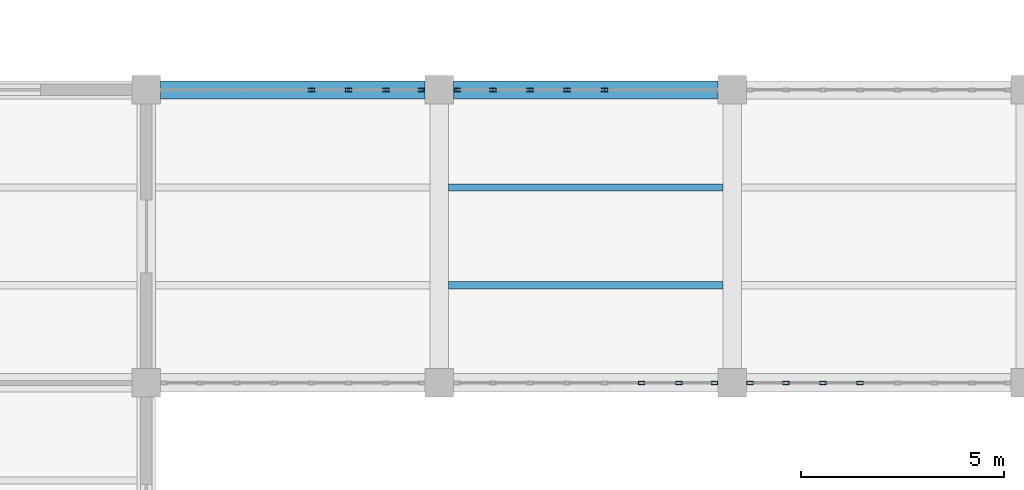
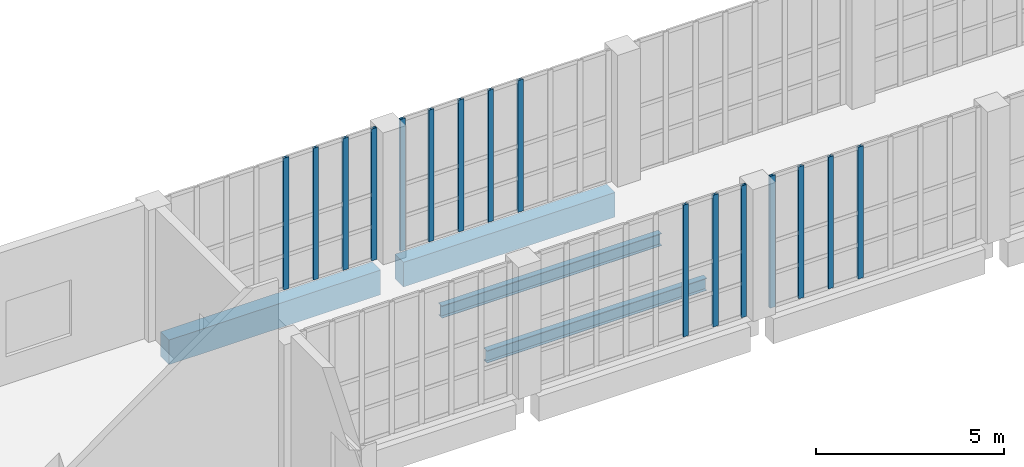
# One storey, part 25 of 108: 16 members, 4 beams, 4 elements without a shape of their own.
"""IFC4 building model written with IfcOpenShell, lengths in metres."""

from ifc_helpers import new_model, si_unit, direction, frame, origin, origin_2d, place, context, subcontext, project, spatial, rectangle, hollow_rectangle, i_section, extrude, material, layer, layer_set, material_profile, profile_set, type_object, element, aggregate, save


model = new_model("IFC4")

# Units and contexts
model_context = context("Model", 3, precision=1e-05, world=origin(), true_north=direction((0.0, 1.0)))
body_context = subcontext(model_context, "Body", "Model", "MODEL_VIEW")
ifc_project = project(units=[si_unit("LENGTHUNIT", "METRE"), si_unit("AREAUNIT", "SQUARE_METRE"), si_unit("VOLUMEUNIT", "CUBIC_METRE"), si_unit("PLANEANGLEUNIT", "RADIAN"), si_unit("MASSUNIT", "GRAM", prefix="KILO"), si_unit("THERMODYNAMICTEMPERATUREUNIT", "KELVIN"), si_unit("POWERUNIT", "WATT")], contexts=[model_context])

# Site, building, storey
site_placement = place(None, origin())
site = spatial("IfcSite", under=ifc_project, at=site_placement, CompositionType="ELEMENT")
building_placement = place(site_placement, origin())
building = spatial("IfcBuilding", under=site, at=building_placement, Name="Kaldorven Railside Theatre", CompositionType="ELEMENT")
storey_placement = place(building_placement, frame((0.0, 0.0, 5.39990234375)))
storey = spatial("IfcBuildingStorey", under=building, at=storey_placement, Name="L01", CompositionType="ELEMENT", Elevation=5.39990234375)

# Beams
ifc_material_1 = material(Name="Steel S355", Category="steel")
ifc_material_profile_1 = material_profile(ifc_material_1, i_section(OverallWidth=0.179931640625, OverallDepth=0.39990234375, WebThickness=0.008544921875, FlangeThickness=0.013427734375, at=origin_2d()), Name="IPE 400")
ifc_profile_set_1 = profile_set([ifc_material_profile_1], Name="Steel S355")
beam_type_1 = type_object("IfcBeamType", Name="BM-IPE400", PredefinedType="JOIST", material=ifc_profile_set_1)
for number, where, z_axis, x_axis, name in (
    (1, (51.425048828125, 72.0, -0.43994140625), (1.0, 0.0, 0.0), (0.0, 1.0, 0.0), "L01 Secondary Floor Joist JG-L01-051-0720"),
    (2, (51.425048828125, 74.39990234375, -0.43994140625), (1.0, 0.0, 0.0), (0.0, 1.0, 0.0), "L01 Secondary Floor Joist JG-L01-051-0744"),
):
    element("IfcBeam", number, at=place(storey_placement, frame(where, z_axis=z_axis, x_axis=x_axis)), inside=storey, type_object=beam_type_1, Name=name, PredefinedType="JOIST", context=body_context, shape_type="SweptSolid", body=[
        extrude(i_section(OverallWidth=0.179931640625, OverallDepth=0.39990234375, WebThickness=0.008544921875, FlangeThickness=0.013427734375, at=origin_2d()), origin(), (0.0, 0.0, 1.0), 6.75),
    ])
ifc_material_2 = material(Name="Concrete C40/50", Category="concrete")
ifc_material_profile_2 = material_profile(ifc_material_2, rectangle(XDim=0.449951171875, YDim=0.800048828125, at=origin_2d()), Name="RC 450x800")
ifc_profile_set_2 = profile_set([ifc_material_profile_2], Name="Concrete C40/50")
beam_type_2 = type_object("IfcBeamType", Name="BM-RC450x800", PredefinedType="BEAM", material=ifc_profile_set_2)
for number, where, z_axis, x_axis, name in (
    (3, (44.35009765625, 76.800048828125, -0.639892578125), (1.0, 0.0, 0.0), (0.0, 1.0, 0.0), "L01 Girder BGX-L01-044-076"),
    (4, (51.550048828125, 76.800048828125, -0.639892578125), (1.0, 0.0, 0.0), (0.0, 1.0, 0.0), "L01 Girder BGX-L01-051-076"),
):
    element("IfcBeam", number, at=place(storey_placement, frame(where, z_axis=z_axis, x_axis=x_axis)), inside=storey, type_object=beam_type_2, Name=name, PredefinedType="BEAM", context=body_context, shape_type="SweptSolid", body=[
        extrude(rectangle(XDim=0.449951171875, YDim=0.800048828125, at=origin_2d()), origin(), (0.0, 0.0, 1.0), 6.5),
    ])

# Curtain wall, members
ifc_material_3 = material(Name="Low-E laminated solar-control glass", Category="glass")
ifc_layer = layer(ifc_material_3, 0.159912109375, Name="Low-E laminated solar-control glass")
ifc_layer_set = layer_set([ifc_layer], Name="Low-E laminated solar-control glass")
curtain_wall_type = type_object("IfcCurtainWallType", Name="CWT-25", PredefinedType="USERDEFINED", material=ifc_layer_set)
curtain_wall_1_placement = place(storey_placement, origin())
curtain_wall_1 = element("IfcCurtainWall", 5, at=curtain_wall_1_placement, inside=storey, type_object=curtain_wall_type, Name="Sinusoidal Fluted Curtain Wall CW-L01-BN01", ObjectType="FLUTED GLAZING", PredefinedType="USERDEFINED")
ifc_material_4 = material(Name="Anodised bronze aluminium", Category="aluminium")
ifc_material_profile_3 = material_profile(ifc_material_4, hollow_rectangle(XDim=0.080078125, YDim=0.159912109375, WallThickness=0.00634765625, at=origin_2d()), Name="RHS 160x80x6.3")
ifc_profile_set_3 = profile_set([ifc_material_profile_3], Name="Anodised bronze aluminium")
member_type = type_object("IfcMemberType", Name="CWM-160", PredefinedType="MULLION", material=ifc_profile_set_3)
member_1_placement = place(storey_placement, frame((48.05712890625, 76.800048828125, 0.0), z_axis=(0.0, 0.0, 1.0), x_axis=(0.0, 1.0, 0.0)))
member_1 = element("IfcMember", 6, at=member_1_placement, type_object=member_type, Name="CW-L01-BN01 mullion 5", PredefinedType="MULLION", context=body_context, shape_type="SweptSolid", body=[
    extrude(hollow_rectangle(XDim=0.080078125, YDim=0.159912109375, WallThickness=0.00634765625, at=origin_2d()), origin(), (0.0, 0.0, 1.0), 4.280029296875),
])
member_2_placement = place(storey_placement, frame((48.971435546875, 76.800048828125, 0.0), z_axis=(0.0, 0.0, 1.0), x_axis=(0.0, 1.0, 0.0)))
member_2 = element("IfcMember", 7, at=member_2_placement, type_object=member_type, Name="CW-L01-BN01 mullion 6", PredefinedType="MULLION", context=body_context, shape_type="SweptSolid", body=[
    extrude(hollow_rectangle(XDim=0.080078125, YDim=0.159912109375, WallThickness=0.00634765625, at=origin_2d()), origin(), (0.0, 0.0, 1.0), 4.280029296875),
])
member_3_placement = place(storey_placement, frame((49.8857421875, 76.800048828125, 0.0), z_axis=(0.0, 0.0, 1.0), x_axis=(0.0, 1.0, 0.0)))
member_3 = element("IfcMember", 8, at=member_3_placement, type_object=member_type, Name="CW-L01-BN01 mullion 7", PredefinedType="MULLION", context=body_context, shape_type="SweptSolid", body=[
    extrude(hollow_rectangle(XDim=0.080078125, YDim=0.159912109375, WallThickness=0.00634765625, at=origin_2d()), origin(), (0.0, 0.0, 1.0), 4.280029296875),
])
member_4_placement = place(storey_placement, frame((50.760009765625, 76.800048828125, 0.0), z_axis=(0.0, 0.0, 1.0), x_axis=(0.0, 1.0, 0.0)))
member_4 = element("IfcMember", 9, at=member_4_placement, type_object=member_type, Name="CW-L01-BN01 mullion 8", PredefinedType="MULLION", context=body_context, shape_type="SweptSolid", body=[
    extrude(hollow_rectangle(XDim=0.080078125, YDim=0.159912109375, WallThickness=0.00634765625, at=origin_2d()), origin(), (0.0, 0.0, 1.0), 4.280029296875),
])
aggregate(curtain_wall_1, [member_1, member_2, member_3, member_4])

curtain_wall_2_placement = place(storey_placement, origin())
curtain_wall_2 = element("IfcCurtainWall", 10, at=curtain_wall_2_placement, inside=storey, type_object=curtain_wall_type, Name="Sinusoidal Fluted Curtain Wall CW-L01-BS02", ObjectType="FLUTED GLAZING", PredefinedType="USERDEFINED")
member_5_placement = place(storey_placement, frame((56.17138671875, 69.60009765625, 0.0), z_axis=(0.0, 0.0, 1.0), x_axis=(0.0, 1.0, 0.0)))
member_5 = element("IfcMember", 11, at=member_5_placement, type_object=member_type, Name="CW-L01-BS02 mullion 6", PredefinedType="MULLION", context=body_context, shape_type="SweptSolid", body=[
    extrude(hollow_rectangle(XDim=0.080078125, YDim=0.159912109375, WallThickness=0.00634765625, at=origin_2d()), origin(), (0.0, 0.0, 1.0), 4.280029296875),
])
member_6_placement = place(storey_placement, frame((57.085693359375, 69.60009765625, 0.0), z_axis=(0.0, 0.0, 1.0), x_axis=(0.0, 1.0, 0.0)))
member_6 = element("IfcMember", 12, at=member_6_placement, type_object=member_type, Name="CW-L01-BS02 mullion 7", PredefinedType="MULLION", context=body_context, shape_type="SweptSolid", body=[
    extrude(hollow_rectangle(XDim=0.080078125, YDim=0.159912109375, WallThickness=0.00634765625, at=origin_2d()), origin(), (0.0, 0.0, 1.0), 4.280029296875),
])
member_7_placement = place(storey_placement, frame((57.9599609375, 69.60009765625, 0.0), z_axis=(0.0, 0.0, 1.0), x_axis=(0.0, 1.0, 0.0)))
member_7 = element("IfcMember", 13, at=member_7_placement, type_object=member_type, Name="CW-L01-BS02 mullion 8", PredefinedType="MULLION", context=body_context, shape_type="SweptSolid", body=[
    extrude(hollow_rectangle(XDim=0.080078125, YDim=0.159912109375, WallThickness=0.00634765625, at=origin_2d()), origin(), (0.0, 0.0, 1.0), 4.280029296875),
])
aggregate(curtain_wall_2, [member_5, member_6, member_7])

curtain_wall_3_placement = place(storey_placement, origin())
curtain_wall_3 = element("IfcCurtainWall", 14, at=curtain_wall_3_placement, inside=storey, type_object=curtain_wall_type, Name="Sinusoidal Fluted Curtain Wall CW-L01-BN02", ObjectType="FLUTED GLAZING", PredefinedType="USERDEFINED")
member_8_placement = place(storey_placement, frame((51.639892578125, 76.800048828125, 0.0), z_axis=(0.0, 0.0, 1.0), x_axis=(0.0, 1.0, 0.0)))
member_8 = element("IfcMember", 15, at=member_8_placement, type_object=member_type, Name="CW-L01-BN02 mullion 1", PredefinedType="MULLION", context=body_context, shape_type="SweptSolid", body=[
    extrude(hollow_rectangle(XDim=0.080078125, YDim=0.159912109375, WallThickness=0.00634765625, at=origin_2d()), origin(), (0.0, 0.0, 1.0), 4.280029296875),
])
member_9_placement = place(storey_placement, frame((52.514404296875, 76.800048828125, 0.0), z_axis=(0.0, 0.0, 1.0), x_axis=(0.0, 1.0, 0.0)))
member_9 = element("IfcMember", 16, at=member_9_placement, type_object=member_type, Name="CW-L01-BN02 mullion 2", PredefinedType="MULLION", context=body_context, shape_type="SweptSolid", body=[
    extrude(hollow_rectangle(XDim=0.080078125, YDim=0.159912109375, WallThickness=0.00634765625, at=origin_2d()), origin(), (0.0, 0.0, 1.0), 4.280029296875),
])
member_10_placement = place(storey_placement, frame((53.428466796875, 76.800048828125, 0.0), z_axis=(0.0, 0.0, 1.0), x_axis=(0.0, 1.0, 0.0)))
member_10 = element("IfcMember", 17, at=member_10_placement, type_object=member_type, Name="CW-L01-BN02 mullion 3", PredefinedType="MULLION", context=body_context, shape_type="SweptSolid", body=[
    extrude(hollow_rectangle(XDim=0.080078125, YDim=0.159912109375, WallThickness=0.00634765625, at=origin_2d()), origin(), (0.0, 0.0, 1.0), 4.280029296875),
])
member_11_placement = place(storey_placement, frame((54.3427734375, 76.800048828125, 0.0), z_axis=(0.0, 0.0, 1.0), x_axis=(0.0, 1.0, 0.0)))
member_11 = element("IfcMember", 18, at=member_11_placement, type_object=member_type, Name="CW-L01-BN02 mullion 4", PredefinedType="MULLION", context=body_context, shape_type="SweptSolid", body=[
    extrude(hollow_rectangle(XDim=0.080078125, YDim=0.159912109375, WallThickness=0.00634765625, at=origin_2d()), origin(), (0.0, 0.0, 1.0), 4.280029296875),
])
member_12_placement = place(storey_placement, frame((55.257080078125, 76.800048828125, 0.0), z_axis=(0.0, 0.0, 1.0), x_axis=(0.0, 1.0, 0.0)))
member_12 = element("IfcMember", 19, at=member_12_placement, type_object=member_type, Name="CW-L01-BN02 mullion 5", PredefinedType="MULLION", context=body_context, shape_type="SweptSolid", body=[
    extrude(hollow_rectangle(XDim=0.080078125, YDim=0.159912109375, WallThickness=0.00634765625, at=origin_2d()), origin(), (0.0, 0.0, 1.0), 4.280029296875),
])
aggregate(curtain_wall_3, [member_8, member_9, member_10, member_11, member_12])

curtain_wall_4_placement = place(storey_placement, origin())
curtain_wall_4 = element("IfcCurtainWall", 20, at=curtain_wall_4_placement, inside=storey, type_object=curtain_wall_type, Name="Sinusoidal Fluted Curtain Wall CW-L01-BS03", ObjectType="FLUTED GLAZING", PredefinedType="USERDEFINED")
member_13_placement = place(storey_placement, frame((58.840087890625, 69.60009765625, 0.0), z_axis=(0.0, 0.0, 1.0), x_axis=(0.0, 1.0, 0.0)))
member_13 = element("IfcMember", 21, at=member_13_placement, type_object=member_type, Name="CW-L01-BS03 mullion 1", PredefinedType="MULLION", context=body_context, shape_type="SweptSolid", body=[
    extrude(hollow_rectangle(XDim=0.080078125, YDim=0.159912109375, WallThickness=0.00634765625, at=origin_2d()), origin(), (0.0, 0.0, 1.0), 4.280029296875),
])
member_14_placement = place(storey_placement, frame((59.71435546875, 69.60009765625, 0.0), z_axis=(0.0, 0.0, 1.0), x_axis=(0.0, 1.0, 0.0)))
member_14 = element("IfcMember", 22, at=member_14_placement, type_object=member_type, Name="CW-L01-BS03 mullion 2", PredefinedType="MULLION", context=body_context, shape_type="SweptSolid", body=[
    extrude(hollow_rectangle(XDim=0.080078125, YDim=0.159912109375, WallThickness=0.00634765625, at=origin_2d()), origin(), (0.0, 0.0, 1.0), 4.280029296875),
])
member_15_placement = place(storey_placement, frame((60.628662109375, 69.60009765625, 0.0), z_axis=(0.0, 0.0, 1.0), x_axis=(0.0, 1.0, 0.0)))
member_15 = element("IfcMember", 23, at=member_15_placement, type_object=member_type, Name="CW-L01-BS03 mullion 3", PredefinedType="MULLION", context=body_context, shape_type="SweptSolid", body=[
    extrude(hollow_rectangle(XDim=0.080078125, YDim=0.159912109375, WallThickness=0.00634765625, at=origin_2d()), origin(), (0.0, 0.0, 1.0), 4.280029296875),
])
member_16_placement = place(storey_placement, frame((61.54296875, 69.60009765625, 0.0), z_axis=(0.0, 0.0, 1.0), x_axis=(0.0, 1.0, 0.0)))
member_16 = element("IfcMember", 24, at=member_16_placement, type_object=member_type, Name="CW-L01-BS03 mullion 4", PredefinedType="MULLION", context=body_context, shape_type="SweptSolid", body=[
    extrude(hollow_rectangle(XDim=0.080078125, YDim=0.159912109375, WallThickness=0.00634765625, at=origin_2d()), origin(), (0.0, 0.0, 1.0), 4.280029296875),
])
aggregate(curtain_wall_4, [member_13, member_14, member_15, member_16])

save(model, "model.ifc")
